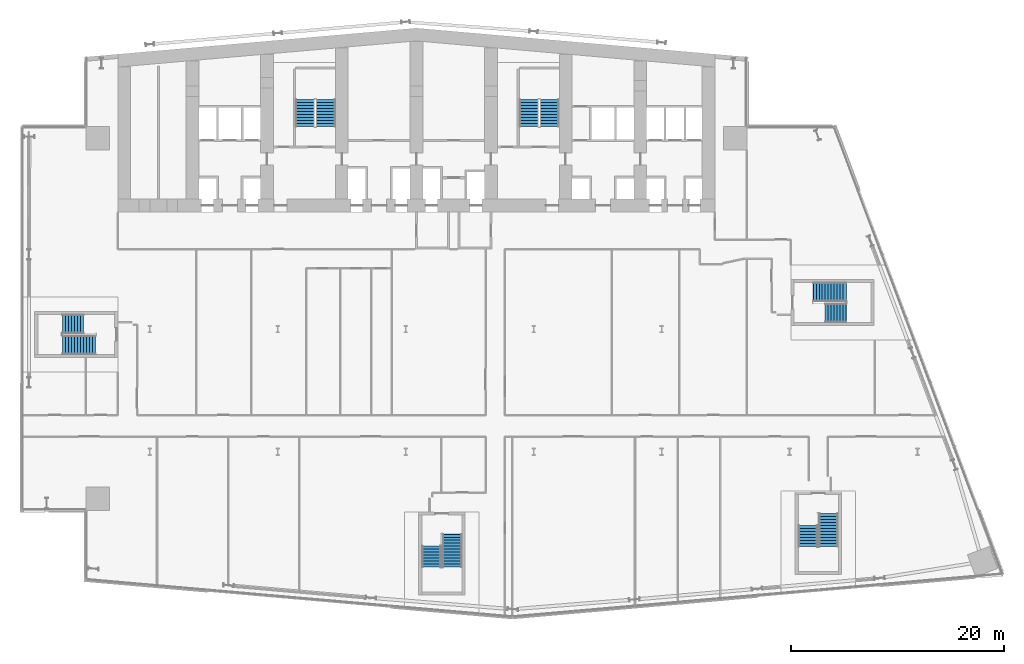
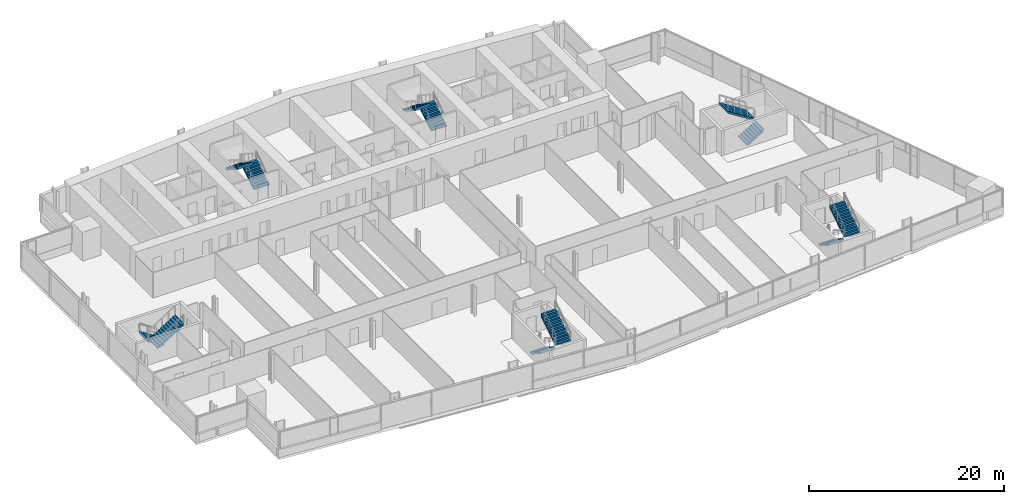
# One storey, part 20 of 24: 12 stair flights, 6 elements without a shape of their own.
"""IFC4 building model written with IfcOpenShell, lengths in metres."""

import ifcopenshell
import ifcopenshell.guid

model = None  # the IFC model being written
_history = None  # IfcOwnerHistory: only IFC2X3 demands one
_inside = {}  # id of a spatial element -> (the spatial element, [elements in it])
_under = {}  # id of a project, library or spatial element -> (it, [spatial elements below it])
_declared = {}  # id of a project -> (the project, [libraries it declares])
_typed = {}  # id of a type object -> (the type object, [elements of that type])
_made_of = {}  # id of a material, layer set ... -> (it, [elements and type objects made of it])


def new_model(schema):
    """Start an empty IFC model of exactly this schema.

    Asked for "IFC4X3", IfcOpenShell would pick the latest addendum, in which some entities
    have other attributes; the version numbers below select the first issue.
    IFC2X3 requires an IfcOwnerHistory on every rooted entity: one is made here for all.
    """
    global model, _history
    if schema == "IFC4X3":
        model = ifcopenshell.file(schema_version=(4, 3, 0, 0))
    else:
        model = ifcopenshell.file(schema=schema)
    _inside.clear()
    _under.clear()
    _declared.clear()
    _typed.clear()
    _made_of.clear()
    _history = None
    if model.schema == "IFC2X3":
        org = make("IfcOrganization", Name="unknown")
        user = make(
            "IfcPersonAndOrganization",
            ThePerson=make("IfcPerson", FamilyName="unknown"),
            TheOrganization=org,
        )
        app = make(
            "IfcApplication",
            ApplicationDeveloper=org,
            Version="unknown",
            ApplicationFullName="unknown",
            ApplicationIdentifier="unknown",
        )
        _history = make(
            "IfcOwnerHistory",
            OwningUser=user,
            OwningApplication=app,
            ChangeAction="ADDED",
            CreationDate=0,
        )
    return model


def make(cls, **values):
    """One entity of the class cls with the attributes given. An attribute that is None is left unset."""
    return model.create_entity(
        cls, **{name: value for name, value in values.items() if value is not None}
    )


def rooted(cls, **values):
    """An entity with a GlobalId (a new one), such as an element, a storey or a relation."""
    return make(cls, GlobalId=ifcopenshell.guid.new(), OwnerHistory=_history, **values)


def si_unit(unit_type, name, prefix=None):
    """IfcSIUnit, for example si_unit("LENGTHUNIT", "METRE", prefix="MILLI")."""
    return make("IfcSIUnit", UnitType=unit_type, Prefix=prefix, Name=name)


def assignment(units):
    """IfcUnitAssignment: the units of a project."""
    return None if units is None else make("IfcUnitAssignment", Units=units)


def point(xyz):
    """IfcCartesianPoint."""
    return None if xyz is None else make("IfcCartesianPoint", Coordinates=xyz)


def direction(xyz):
    """IfcDirection."""
    return None if xyz is None else make("IfcDirection", DirectionRatios=xyz)


def frame(location, z_axis=None, x_axis=None):
    """IfcAxis2Placement3D, a coordinate frame: its origin and axes. An axis left out is left unset."""
    return make(
        "IfcAxis2Placement3D",
        Location=point(location),
        Axis=direction(z_axis),
        RefDirection=direction(x_axis),
    )


def origin():
    """The frame at (0, 0, 0) with its axes left unset."""
    return frame((0.0, 0.0, 0.0))


def place(relative_to, where):
    """IfcLocalPlacement: puts the frame where relative to a parent placement (None: the world)."""
    return make(
        "IfcLocalPlacement", PlacementRelTo=relative_to, RelativePlacement=where
    )


def context(
    kind, dimensions, precision=None, world=None, true_north=None, identifier=None
):
    """IfcGeometricRepresentationContext, for example the 3D "Model" context."""
    return make(
        "IfcGeometricRepresentationContext",
        ContextIdentifier=identifier,
        ContextType=kind,
        CoordinateSpaceDimension=dimensions,
        Precision=precision,
        WorldCoordinateSystem=world,
        TrueNorth=true_north,
    )


def subcontext(parent, identifier, kind, view, scale=None):
    """IfcGeometricRepresentationSubContext, for example "Body" below "Model"."""
    return make(
        "IfcGeometricRepresentationSubContext",
        ContextIdentifier=identifier,
        ContextType=kind,
        ParentContext=parent,
        TargetScale=scale,
        TargetView=view,
    )


def project(units=None, contexts=None):
    """IfcProject with its units and contexts."""
    return rooted(
        "IfcProject",
        Name="project",
        RepresentationContexts=contexts,
        UnitsInContext=assignment(units),
    )


def spatial(cls, under=None, at=None, **own):
    """A site, building, storey or space (cls), placed at a placement, below another one or the project."""
    s = rooted(cls, ObjectPlacement=at, **own)
    if under is not None:
        _under.setdefault(under.id(), (under, []))[1].append(s)
    return s


def polyline(points):
    """IfcPolyline through the points."""
    return make("IfcPolyline", Points=[point(p) for p in points])


def outline(outer, holes=None, kind="AREA"):
    """IfcArbitraryClosedProfileDef: a profile drawn as a closed curve; with holes, ...WithVoids."""
    if holes is None:
        return make("IfcArbitraryClosedProfileDef", ProfileType=kind, OuterCurve=outer)
    return make(
        "IfcArbitraryProfileDefWithVoids",
        ProfileType=kind,
        OuterCurve=outer,
        InnerCurves=holes,
    )


def extrude(swept, where, along, depth):
    """IfcExtrudedAreaSolid: the profile swept, set in the frame where, extruded along a direction by depth."""
    return make(
        "IfcExtrudedAreaSolid",
        SweptArea=swept,
        Position=where,
        ExtrudedDirection=direction(along),
        Depth=depth,
    )


def shape(context_of_items, identifier, shape_type, items):
    """IfcShapeRepresentation: the items that make up one representation, for example the "Body"."""
    return make(
        "IfcShapeRepresentation",
        ContextOfItems=context_of_items,
        RepresentationIdentifier=identifier,
        RepresentationType=shape_type,
        Items=items,
    )


def material(Name=None, Category=None):
    """IfcMaterial."""
    return make("IfcMaterial", Name=Name, Category=Category)


def made_of(thing, what):
    """Note that an element or type object is made of a material, layer set ...; save() writes the relation."""
    if what is not None:
        _made_of.setdefault(what.id(), (what, []))[1].append(thing)
    return thing


def type_object(cls, material=None, **own):
    """A type object (cls), such as IfcWallType, which elements share."""
    return made_of(rooted(cls, **own), material)


def element(
    cls,
    number,
    at=None,
    inside=None,
    cuts=None,
    type_object=None,
    material=None,
    context=None,
    identifier="Body",
    shape_type=None,
    held_by="IfcProductDefinitionShape",
    body=None,
    shapes=None,
    **own,
):
    """One element of the class cls, such as IfcWall. Its Tag is "e" and its number.

    at: its placement. inside: the storey or other place that contains it. cuts: it is an
    opening in that element (IfcRelVoidsElement). A single representation is given by context,
    identifier, shape_type and body (its items); several are given by shapes. held_by: the class
    of the entity that holds the representations. save() writes the other relations.
    """
    e = rooted(cls, Tag="e%d" % number, ObjectPlacement=at, **own)
    if body is not None:
        shapes = [shape(context, identifier, shape_type, body)]
    if shapes is not None:
        e.Representation = make(held_by, Representations=shapes)
    if inside is not None:
        _inside.setdefault(inside.id(), (inside, []))[1].append(e)
    if cuts is not None:
        rooted(
            "IfcRelVoidsElement", RelatingBuildingElement=cuts, RelatedOpeningElement=e
        )
    if type_object is not None:
        _typed.setdefault(type_object.id(), (type_object, []))[1].append(e)
    return made_of(e, material)


def aggregate(whole, parts):
    """IfcRelAggregates: a whole, such as a stair, and the parts it consists of."""
    return rooted("IfcRelAggregates", RelatingObject=whole, RelatedObjects=parts)


def save(model, path):
    """Write the relations noted so far, then the file.

    IfcRelAggregates (storeys below a building ...), IfcRelContainedInSpatialStructure (elements
    in a storey), IfcRelDefinesByType, IfcRelAssociatesMaterial and IfcRelDeclares: one each for
    every whole, place, type object, material and project.
    """
    for whole, parts in _under.values():
        aggregate(whole, parts)
    for where, things in _inside.values():
        rooted(
            "IfcRelContainedInSpatialStructure",
            RelatedElements=things,
            RelatingStructure=where,
        )
    for kind, things in _typed.values():
        rooted("IfcRelDefinesByType", RelatedObjects=things, RelatingType=kind)
    for what, things in _made_of.values():
        rooted("IfcRelAssociatesMaterial", RelatedObjects=things, RelatingMaterial=what)
    for by, libraries in _declared.values():
        rooted("IfcRelDeclares", RelatingContext=by, RelatedDefinitions=libraries)
    model.write(path)


model = new_model("IFC4")

# Units and contexts
model_context = context("Model", 3, precision=1e-05, world=origin(), true_north=direction((0.0, 1.0)))
body_context = subcontext(model_context, "Body", "Model", "MODEL_VIEW")
ifc_project = project(units=[si_unit("LENGTHUNIT", "METRE"), si_unit("AREAUNIT", "SQUARE_METRE"), si_unit("VOLUMEUNIT", "CUBIC_METRE"), si_unit("PLANEANGLEUNIT", "RADIAN"), si_unit("MASSUNIT", "GRAM", prefix="KILO")], contexts=[model_context])

# Site, building, storey
site_placement = place(None, origin())
site = spatial("IfcSite", under=ifc_project, at=site_placement, CompositionType="ELEMENT")
building_placement = place(site_placement, origin())
building = spatial("IfcBuilding", under=site, at=building_placement, Name="Wharfspan Tower", CompositionType="ELEMENT")
storey_placement = place(building_placement, frame((0.0, 0.0, 88.300049)))
storey = spatial("IfcBuildingStorey", under=building, at=storey_placement, Name="L19", CompositionType="ELEMENT", Elevation=88.300049)

# Stair, stair flights
ifc_material = material(Name="Concrete C40/50", Category="concrete")
stair_type = type_object("IfcStairType", Name="Half-turn stair 20 risers 180 mm", PredefinedType="HALF_TURN_STAIR", material=ifc_material)
stair_1_placement = place(storey_placement, origin())
stair_1 = element("IfcStair", 1, at=stair_1_placement, inside=storey, type_object=stair_type, Name="L19 stair ST1", PredefinedType="HALF_TURN_STAIR")
stair_flight_type = type_object("IfcStairFlightType", Name="Stair flight 20 risers 180 mm", PredefinedType="STRAIGHT", material=ifc_material)
stair_flight_1_placement = place(storey_placement, frame((28.5, 42.0, 0.0), z_axis=(0.0, 0.0, 1.0), x_axis=(0.0, 1.0, 0.0)))
stair_flight_1 = element("IfcStairFlight", 2, at=stair_flight_1_placement, type_object=stair_flight_type, Name="ST1 flight 1", NumberOfRisers=10, NumberOfTreads=9, PredefinedType="STRAIGHT", RiserHeight=0.18, TreadLength=0.28, context=body_context, shape_type="SweptSolid", body=[
    extrude(outline(polyline([(-0.011963, 0.0), (-0.011963, 0.179932), (0.0, 0.179932), (0.280029, 0.179932), (0.280029, 0.360107), (0.560059, 0.360107), (0.560059, 0.540039), (0.840088, 0.540039), (0.840088, 0.719971), (1.120117, 0.719971), (1.120117, 0.899902), (1.399902, 0.899902), (1.399902, 1.080078), (1.679932, 1.080078), (1.679932, 1.26001), (1.959961, 1.26001), (1.959961, 1.439941), (2.23999, 1.439941), (2.23999, 1.620117), (2.52002, 1.620117), (2.531982, 1.800049), (2.531982, 1.441895), (0.2771, 0.0), (-0.011963, 0.0)])), frame((0.0, 0.899902, 0.0), z_axis=(0.0, -1.0, 0.0), x_axis=(1.0, 0.0, 0.0)), (0.0, 0.0, 1.0), 0.899414),
    extrude(outline(polyline([(-0.011963, 0.0), (-0.011963, 0.179932), (0.0, 0.179932), (0.280029, 0.179932), (0.280029, 0.360107), (0.560059, 0.360107), (0.560059, 0.540039), (0.840088, 0.540039), (0.840088, 0.719971), (1.120117, 0.719971), (1.120117, 0.899902), (1.399902, 0.899902), (1.399902, 1.080078), (1.679932, 1.080078), (1.679932, 1.26001), (1.959961, 1.26001), (1.959961, 1.439941), (2.23999, 1.439941), (2.23999, 1.620117), (2.52002, 1.620117), (2.531982, 1.800049), (2.531982, 1.441895), (0.2771, 0.0), (-0.011963, 0.0)])), frame((0.0, -0.000488, 0.0), z_axis=(0.0, -1.0, 0.0), x_axis=(1.0, 0.0, 0.0)), (0.0, 0.0, 1.0), 0.899414),
])
stair_flight_2_placement = place(storey_placement, frame((26.550049, 44.52002, 1.800049), z_axis=(0.0, 0.0, 1.0), x_axis=(0.0, -1.0, 0.0)))
stair_flight_2 = element("IfcStairFlight", 3, at=stair_flight_2_placement, type_object=stair_flight_type, Name="ST1 flight 2", NumberOfRisers=10, NumberOfTreads=9, PredefinedType="STRAIGHT", RiserHeight=0.18, TreadLength=0.28, context=body_context, shape_type="SweptSolid", body=[
    extrude(outline(polyline([(-0.011963, 0.0), (-0.011963, 0.179932), (0.0, 0.179932), (0.280029, 0.179932), (0.280029, 0.360107), (0.560059, 0.360107), (0.560059, 0.540039), (0.840088, 0.540039), (0.840088, 0.719971), (1.120117, 0.719971), (1.120117, 0.899902), (1.399902, 0.899902), (1.399902, 1.080078), (1.679932, 1.080078), (1.679932, 1.26001), (1.959961, 1.26001), (1.959961, 1.439941), (2.23999, 1.439941), (2.23999, 1.620117), (2.52002, 1.620117), (2.531982, 1.800049), (2.531982, 1.441895), (0.2771, 0.0), (-0.011963, 0.0)])), frame((0.0, 0.899902, 0.0), z_axis=(0.0, -1.0, 0.0), x_axis=(1.0, 0.0, 0.0)), (0.0, 0.0, 1.0), 0.899414),
    extrude(outline(polyline([(-0.011963, 0.0), (-0.011963, 0.179932), (0.0, 0.179932), (0.280029, 0.179932), (0.280029, 0.360107), (0.560059, 0.360107), (0.560059, 0.540039), (0.840088, 0.540039), (0.840088, 0.719971), (1.120117, 0.719971), (1.120117, 0.899902), (1.399902, 0.899902), (1.399902, 1.080078), (1.679932, 1.080078), (1.679932, 1.26001), (1.959961, 1.26001), (1.959961, 1.439941), (2.23999, 1.439941), (2.23999, 1.620117), (2.52002, 1.620117), (2.531982, 1.800049), (2.531982, 1.441895), (0.2771, 0.0), (-0.011963, 0.0)])), frame((0.0, -0.000488, 0.0), z_axis=(0.0, -1.0, 0.0), x_axis=(1.0, 0.0, 0.0)), (0.0, 0.0, 1.0), 0.899414),
])
aggregate(stair_1, [stair_flight_1, stair_flight_2])

stair_2_placement = place(storey_placement, origin())
stair_2 = element("IfcStair", 4, at=stair_2_placement, inside=storey, type_object=stair_type, Name="L19 stair ST2", PredefinedType="HALF_TURN_STAIR")
stair_flight_3_placement = place(storey_placement, frame((49.5, 42.0, 0.0), z_axis=(0.0, 0.0, 1.0), x_axis=(0.0, 1.0, 0.0)))
stair_flight_3 = element("IfcStairFlight", 5, at=stair_flight_3_placement, type_object=stair_flight_type, Name="ST2 flight 1", NumberOfRisers=10, NumberOfTreads=9, PredefinedType="STRAIGHT", RiserHeight=0.18, TreadLength=0.28, context=body_context, shape_type="SweptSolid", body=[
    extrude(outline(polyline([(-0.011963, 0.0), (-0.011963, 0.179932), (0.0, 0.179932), (0.280029, 0.179932), (0.280029, 0.360107), (0.560059, 0.360107), (0.560059, 0.540039), (0.840088, 0.540039), (0.840088, 0.719971), (1.120117, 0.719971), (1.120117, 0.899902), (1.399902, 0.899902), (1.399902, 1.080078), (1.679932, 1.080078), (1.679932, 1.26001), (1.959961, 1.26001), (1.959961, 1.439941), (2.23999, 1.439941), (2.23999, 1.620117), (2.52002, 1.620117), (2.531982, 1.800049), (2.531982, 1.441895), (0.2771, 0.0), (-0.011963, 0.0)])), frame((0.0, 0.899902, 0.0), z_axis=(0.0, -1.0, 0.0), x_axis=(1.0, 0.0, 0.0)), (0.0, 0.0, 1.0), 0.899414),
    extrude(outline(polyline([(-0.011963, 0.0), (-0.011963, 0.179932), (0.0, 0.179932), (0.280029, 0.179932), (0.280029, 0.360107), (0.560059, 0.360107), (0.560059, 0.540039), (0.840088, 0.540039), (0.840088, 0.719971), (1.120117, 0.719971), (1.120117, 0.899902), (1.399902, 0.899902), (1.399902, 1.080078), (1.679932, 1.080078), (1.679932, 1.26001), (1.959961, 1.26001), (1.959961, 1.439941), (2.23999, 1.439941), (2.23999, 1.620117), (2.52002, 1.620117), (2.531982, 1.800049), (2.531982, 1.441895), (0.2771, 0.0), (-0.011963, 0.0)])), frame((0.0, -0.000488, 0.0), z_axis=(0.0, -1.0, 0.0), x_axis=(1.0, 0.0, 0.0)), (0.0, 0.0, 1.0), 0.899414),
])
stair_flight_4_placement = place(storey_placement, frame((47.550049, 44.52002, 1.800049), z_axis=(0.0, 0.0, 1.0), x_axis=(0.0, -1.0, 0.0)))
stair_flight_4 = element("IfcStairFlight", 6, at=stair_flight_4_placement, type_object=stair_flight_type, Name="ST2 flight 2", NumberOfRisers=10, NumberOfTreads=9, PredefinedType="STRAIGHT", RiserHeight=0.18, TreadLength=0.28, context=body_context, shape_type="SweptSolid", body=[
    extrude(outline(polyline([(-0.011963, 0.0), (-0.011963, 0.179932), (0.0, 0.179932), (0.280029, 0.179932), (0.280029, 0.360107), (0.560059, 0.360107), (0.560059, 0.540039), (0.840088, 0.540039), (0.840088, 0.719971), (1.120117, 0.719971), (1.120117, 0.899902), (1.399902, 0.899902), (1.399902, 1.080078), (1.679932, 1.080078), (1.679932, 1.26001), (1.959961, 1.26001), (1.959961, 1.439941), (2.23999, 1.439941), (2.23999, 1.620117), (2.52002, 1.620117), (2.531982, 1.800049), (2.531982, 1.441895), (0.2771, 0.0), (-0.011963, 0.0)])), frame((0.0, 0.899902, 0.0), z_axis=(0.0, -1.0, 0.0), x_axis=(1.0, 0.0, 0.0)), (0.0, 0.0, 1.0), 0.899414),
    extrude(outline(polyline([(-0.011963, 0.0), (-0.011963, 0.179932), (0.0, 0.179932), (0.280029, 0.179932), (0.280029, 0.360107), (0.560059, 0.360107), (0.560059, 0.540039), (0.840088, 0.540039), (0.840088, 0.719971), (1.120117, 0.719971), (1.120117, 0.899902), (1.399902, 0.899902), (1.399902, 1.080078), (1.679932, 1.080078), (1.679932, 1.26001), (1.959961, 1.26001), (1.959961, 1.439941), (2.23999, 1.439941), (2.23999, 1.620117), (2.52002, 1.620117), (2.531982, 1.800049), (2.531982, 1.441895), (0.2771, 0.0), (-0.011963, 0.0)])), frame((0.0, -0.000488, 0.0), z_axis=(0.0, -1.0, 0.0), x_axis=(1.0, 0.0, 0.0)), (0.0, 0.0, 1.0), 0.899414),
])
aggregate(stair_2, [stair_flight_3, stair_flight_4])

stair_3_placement = place(storey_placement, origin())
stair_3 = element("IfcStair", 7, at=stair_3_placement, inside=storey, type_object=stair_type, Name="L19 stair ST3", PredefinedType="HALF_TURN_STAIR")
stair_flight_5_placement = place(storey_placement, frame((5.780029, 23.475098, 0.0), z_axis=(0.0, 0.0, 1.0), x_axis=(-1.0, 0.0, 0.0)))
stair_flight_5 = element("IfcStairFlight", 8, at=stair_flight_5_placement, type_object=stair_flight_type, Name="ST3 flight 1", NumberOfRisers=8, NumberOfTreads=7, PredefinedType="STRAIGHT", RiserHeight=0.18, TreadLength=0.28, context=body_context, shape_type="SweptSolid", body=[
    extrude(outline(polyline([(-0.011963, 0.0), (-0.011963, 0.179932), (0.0, 0.179932), (0.280029, 0.179932), (0.280029, 0.360107), (0.560059, 0.360107), (0.560059, 0.540039), (0.840088, 0.540039), (0.840088, 0.719971), (1.120117, 0.719971), (1.120117, 0.899902), (1.399902, 0.899902), (1.399902, 1.080078), (1.679932, 1.080078), (1.679932, 1.26001), (1.959961, 1.26001), (1.971924, 1.439941), (1.971924, 1.081787), (0.2771, 0.0), (-0.011963, 0.0)])), frame((0.0, 0.899902, 0.0), z_axis=(0.0, -1.0, 0.0), x_axis=(1.0, 0.0, 0.0)), (0.0, 0.0, 1.0), 0.899414),
    extrude(outline(polyline([(-0.011963, 0.0), (-0.011963, 0.179932), (0.0, 0.179932), (0.280029, 0.179932), (0.280029, 0.360107), (0.560059, 0.360107), (0.560059, 0.540039), (0.840088, 0.540039), (0.840088, 0.719971), (1.120117, 0.719971), (1.120117, 0.899902), (1.399902, 0.899902), (1.399902, 1.080078), (1.679932, 1.080078), (1.679932, 1.26001), (1.959961, 1.26001), (1.971924, 1.439941), (1.971924, 1.081787), (0.2771, 0.0), (-0.011963, 0.0)])), frame((0.0, -0.000488, 0.0), z_axis=(0.0, -1.0, 0.0), x_axis=(1.0, 0.0, 0.0)), (0.0, 0.0, 1.0), 0.899414),
])
stair_flight_6_placement = place(storey_placement, frame((3.820068, 21.524902, 1.439941), z_axis=(0.0, 0.0, 1.0), x_axis=(1.0, 0.0, 0.0)))
stair_flight_6 = element("IfcStairFlight", 9, at=stair_flight_6_placement, type_object=stair_flight_type, Name="ST3 flight 2", NumberOfRisers=12, NumberOfTreads=11, PredefinedType="STRAIGHT", RiserHeight=0.18, TreadLength=0.28, context=body_context, shape_type="SweptSolid", body=[
    extrude(outline(polyline([(-0.011963, 0.0), (-0.011963, 0.179932), (0.0, 0.179932), (0.280029, 0.179932), (0.280029, 0.360107), (0.560059, 0.360107), (0.560059, 0.540039), (0.840088, 0.540039), (0.840088, 0.719971), (1.120117, 0.719971), (1.120117, 0.899902), (1.399902, 0.899902), (1.399902, 1.080078), (1.679932, 1.080078), (1.679932, 1.26001), (1.959961, 1.26001), (1.959961, 1.439941), (2.23999, 1.439941), (2.23999, 1.620117), (2.52002, 1.620117), (2.52002, 1.800049), (2.800049, 1.800049), (2.800049, 1.97998), (3.080078, 1.97998), (3.092041, 2.159912), (3.092041, 1.801758), (0.2771, 0.0), (-0.011963, 0.0)])), frame((0.0, 0.899902, 0.0), z_axis=(0.0, -1.0, 0.0), x_axis=(1.0, 0.0, 0.0)), (0.0, 0.0, 1.0), 1.800049),
])
aggregate(stair_3, [stair_flight_5, stair_flight_6])

stair_4_placement = place(storey_placement, origin())
stair_4 = element("IfcStair", 10, at=stair_4_placement, inside=storey, type_object=stair_type, Name="L19 stair ST4", PredefinedType="HALF_TURN_STAIR")
stair_flight_7_placement = place(storey_placement, frame((38.408203, 2.640625, 0.0), z_axis=(0.0, 0.0, 1.0), x_axis=(0.0, -1.0, 0.0)))
stair_flight_7 = element("IfcStairFlight", 11, at=stair_flight_7_placement, type_object=stair_flight_type, Name="ST4 flight 1", NumberOfRisers=8, NumberOfTreads=7, PredefinedType="STRAIGHT", RiserHeight=0.18, TreadLength=0.28, context=body_context, shape_type="SweptSolid", body=[
    extrude(outline(polyline([(-0.011963, 0.0), (-0.011963, 0.179932), (0.0, 0.179932), (0.280029, 0.179932), (0.280029, 0.360107), (0.560059, 0.360107), (0.560059, 0.540039), (0.840088, 0.540039), (0.840088, 0.719971), (1.120117, 0.719971), (1.120117, 0.899902), (1.399902, 0.899902), (1.399902, 1.080078), (1.679932, 1.080078), (1.679932, 1.26001), (1.959961, 1.26001), (1.971924, 1.439941), (1.971924, 1.081787), (0.2771, 0.0), (-0.011963, 0.0)])), frame((0.0, 0.899902, 0.0), z_axis=(0.0, -1.0, 0.0), x_axis=(1.0, 0.0, 0.0)), (0.0, 0.0, 1.0), 0.899414),
    extrude(outline(polyline([(-0.011963, 0.0), (-0.011963, 0.179932), (0.0, 0.179932), (0.280029, 0.179932), (0.280029, 0.360107), (0.560059, 0.360107), (0.560059, 0.540039), (0.840088, 0.540039), (0.840088, 0.719971), (1.120117, 0.719971), (1.120117, 0.899902), (1.399902, 0.899902), (1.399902, 1.080078), (1.679932, 1.080078), (1.679932, 1.26001), (1.959961, 1.26001), (1.971924, 1.439941), (1.971924, 1.081787), (0.2771, 0.0), (-0.011963, 0.0)])), frame((0.0, -0.000488, 0.0), z_axis=(0.0, -1.0, 0.0), x_axis=(1.0, 0.0, 0.0)), (0.0, 0.0, 1.0), 0.899414),
])
stair_flight_8_placement = place(storey_placement, frame((40.358398, 0.680664, 1.439941), z_axis=(0.0, 0.0, 1.0), x_axis=(0.0, 1.0, 0.0)))
stair_flight_8 = element("IfcStairFlight", 12, at=stair_flight_8_placement, type_object=stair_flight_type, Name="ST4 flight 2", NumberOfRisers=12, NumberOfTreads=11, PredefinedType="STRAIGHT", RiserHeight=0.18, TreadLength=0.28, context=body_context, shape_type="SweptSolid", body=[
    extrude(outline(polyline([(-0.011963, 0.0), (-0.011963, 0.179932), (0.0, 0.179932), (0.280029, 0.179932), (0.280029, 0.360107), (0.560059, 0.360107), (0.560059, 0.540039), (0.840088, 0.540039), (0.840088, 0.719971), (1.120117, 0.719971), (1.120117, 0.899902), (1.399902, 0.899902), (1.399902, 1.080078), (1.679932, 1.080078), (1.679932, 1.26001), (1.959961, 1.26001), (1.959961, 1.439941), (2.23999, 1.439941), (2.23999, 1.620117), (2.52002, 1.620117), (2.52002, 1.800049), (2.800049, 1.800049), (2.800049, 1.97998), (3.080078, 1.97998), (3.092041, 2.159912), (3.092041, 1.801758), (0.2771, 0.0), (-0.011963, 0.0)])), frame((0.0, 0.899902, 0.0), z_axis=(0.0, -1.0, 0.0), x_axis=(1.0, 0.0, 0.0)), (0.0, 0.0, 1.0), 1.800049),
])
aggregate(stair_4, [stair_flight_7, stair_flight_8])

stair_5_placement = place(storey_placement, origin())
stair_5 = element("IfcStair", 13, at=stair_5_placement, inside=storey, type_object=stair_type, Name="L19 stair ST5", PredefinedType="HALF_TURN_STAIR")
stair_flight_9_placement = place(storey_placement, frame((73.717529, 4.572021, 0.0), z_axis=(0.0, 0.0, 1.0), x_axis=(0.0, -1.0, 0.0)))
stair_flight_9 = element("IfcStairFlight", 14, at=stair_flight_9_placement, type_object=stair_flight_type, Name="ST5 flight 1", NumberOfRisers=8, NumberOfTreads=7, PredefinedType="STRAIGHT", RiserHeight=0.18, TreadLength=0.28, context=body_context, shape_type="SweptSolid", body=[
    extrude(outline(polyline([(-0.011963, 0.0), (-0.011963, 0.179932), (0.0, 0.179932), (0.280029, 0.179932), (0.280029, 0.360107), (0.560059, 0.360107), (0.560059, 0.540039), (0.840088, 0.540039), (0.840088, 0.719971), (1.120117, 0.719971), (1.120117, 0.899902), (1.399902, 0.899902), (1.399902, 1.080078), (1.679932, 1.080078), (1.679932, 1.26001), (1.959961, 1.26001), (1.971924, 1.439941), (1.971924, 1.081787), (0.2771, 0.0), (-0.011963, 0.0)])), frame((0.0, 0.899902, 0.0), z_axis=(0.0, -1.0, 0.0), x_axis=(1.0, 0.0, 0.0)), (0.0, 0.0, 1.0), 0.899414),
    extrude(outline(polyline([(-0.011963, 0.0), (-0.011963, 0.179932), (0.0, 0.179932), (0.280029, 0.179932), (0.280029, 0.360107), (0.560059, 0.360107), (0.560059, 0.540039), (0.840088, 0.540039), (0.840088, 0.719971), (1.120117, 0.719971), (1.120117, 0.899902), (1.399902, 0.899902), (1.399902, 1.080078), (1.679932, 1.080078), (1.679932, 1.26001), (1.959961, 1.26001), (1.971924, 1.439941), (1.971924, 1.081787), (0.2771, 0.0), (-0.011963, 0.0)])), frame((0.0, -0.000488, 0.0), z_axis=(0.0, -1.0, 0.0), x_axis=(1.0, 0.0, 0.0)), (0.0, 0.0, 1.0), 0.899414),
])
stair_flight_10_placement = place(storey_placement, frame((75.66748, 2.612061, 1.439941), z_axis=(0.0, 0.0, 1.0), x_axis=(0.0, 1.0, 0.0)))
stair_flight_10 = element("IfcStairFlight", 15, at=stair_flight_10_placement, type_object=stair_flight_type, Name="ST5 flight 2", NumberOfRisers=12, NumberOfTreads=11, PredefinedType="STRAIGHT", RiserHeight=0.18, TreadLength=0.28, context=body_context, shape_type="SweptSolid", body=[
    extrude(outline(polyline([(-0.011963, 0.0), (-0.011963, 0.179932), (0.0, 0.179932), (0.280029, 0.179932), (0.280029, 0.360107), (0.560059, 0.360107), (0.560059, 0.540039), (0.840088, 0.540039), (0.840088, 0.719971), (1.120117, 0.719971), (1.120117, 0.899902), (1.399902, 0.899902), (1.399902, 1.080078), (1.679932, 1.080078), (1.679932, 1.26001), (1.959961, 1.26001), (1.959961, 1.439941), (2.23999, 1.439941), (2.23999, 1.620117), (2.52002, 1.620117), (2.52002, 1.800049), (2.800049, 1.800049), (2.800049, 1.97998), (3.080078, 1.97998), (3.092041, 2.159912), (3.092041, 1.801758), (0.2771, 0.0), (-0.011963, 0.0)])), frame((0.0, 0.899902, 0.0), z_axis=(0.0, -1.0, 0.0), x_axis=(1.0, 0.0, 0.0)), (0.0, 0.0, 1.0), 1.800049),
])
aggregate(stair_5, [stair_flight_9, stair_flight_10])

stair_6_placement = place(storey_placement, origin())
stair_6 = element("IfcStair", 16, at=stair_6_placement, inside=storey, type_object=stair_type, Name="L19 stair ST6", PredefinedType="HALF_TURN_STAIR")
stair_flight_11_placement = place(storey_placement, frame((75.344971, 24.524902, 0.0), z_axis=(0.0, 0.0, 1.0), x_axis=(1.0, 0.0, 0.0)))
stair_flight_11 = element("IfcStairFlight", 17, at=stair_flight_11_placement, type_object=stair_flight_type, Name="ST6 flight 1", NumberOfRisers=8, NumberOfTreads=7, PredefinedType="STRAIGHT", RiserHeight=0.18, TreadLength=0.28, context=body_context, shape_type="SweptSolid", body=[
    extrude(outline(polyline([(-0.011963, 0.0), (-0.011963, 0.179932), (0.0, 0.179932), (0.280029, 0.179932), (0.280029, 0.360107), (0.560059, 0.360107), (0.560059, 0.540039), (0.840088, 0.540039), (0.840088, 0.719971), (1.120117, 0.719971), (1.120117, 0.899902), (1.399902, 0.899902), (1.399902, 1.080078), (1.679932, 1.080078), (1.679932, 1.26001), (1.959961, 1.26001), (1.971924, 1.439941), (1.971924, 1.081787), (0.2771, 0.0), (-0.011963, 0.0)])), frame((0.0, 0.899902, 0.0), z_axis=(0.0, -1.0, 0.0), x_axis=(1.0, 0.0, 0.0)), (0.0, 0.0, 1.0), 0.899414),
    extrude(outline(polyline([(-0.011963, 0.0), (-0.011963, 0.179932), (0.0, 0.179932), (0.280029, 0.179932), (0.280029, 0.360107), (0.560059, 0.360107), (0.560059, 0.540039), (0.840088, 0.540039), (0.840088, 0.719971), (1.120117, 0.719971), (1.120117, 0.899902), (1.399902, 0.899902), (1.399902, 1.080078), (1.679932, 1.080078), (1.679932, 1.26001), (1.959961, 1.26001), (1.971924, 1.439941), (1.971924, 1.081787), (0.2771, 0.0), (-0.011963, 0.0)])), frame((0.0, -0.000488, 0.0), z_axis=(0.0, -1.0, 0.0), x_axis=(1.0, 0.0, 0.0)), (0.0, 0.0, 1.0), 0.899414),
])
stair_flight_12_placement = place(storey_placement, frame((77.304932, 26.475098, 1.439941), z_axis=(0.0, 0.0, 1.0), x_axis=(-1.0, 0.0, 0.0)))
stair_flight_12 = element("IfcStairFlight", 18, at=stair_flight_12_placement, type_object=stair_flight_type, Name="ST6 flight 2", NumberOfRisers=12, NumberOfTreads=11, PredefinedType="STRAIGHT", RiserHeight=0.18, TreadLength=0.28, context=body_context, shape_type="SweptSolid", body=[
    extrude(outline(polyline([(-0.011963, 0.0), (-0.011963, 0.179932), (0.0, 0.179932), (0.280029, 0.179932), (0.280029, 0.360107), (0.560059, 0.360107), (0.560059, 0.540039), (0.840088, 0.540039), (0.840088, 0.719971), (1.120117, 0.719971), (1.120117, 0.899902), (1.399902, 0.899902), (1.399902, 1.080078), (1.679932, 1.080078), (1.679932, 1.26001), (1.959961, 1.26001), (1.959961, 1.439941), (2.23999, 1.439941), (2.23999, 1.620117), (2.52002, 1.620117), (2.52002, 1.800049), (2.800049, 1.800049), (2.800049, 1.97998), (3.080078, 1.97998), (3.092041, 2.159912), (3.092041, 1.801758), (0.2771, 0.0), (-0.011963, 0.0)])), frame((0.0, 0.899902, 0.0), z_axis=(0.0, -1.0, 0.0), x_axis=(1.0, 0.0, 0.0)), (0.0, 0.0, 1.0), 1.800049),
])
aggregate(stair_6, [stair_flight_11, stair_flight_12])

save(model, "model.ifc")
